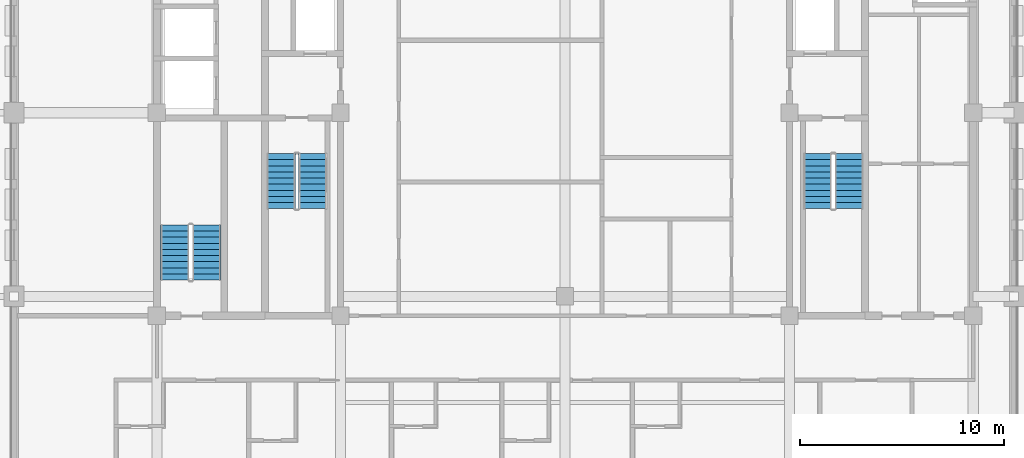
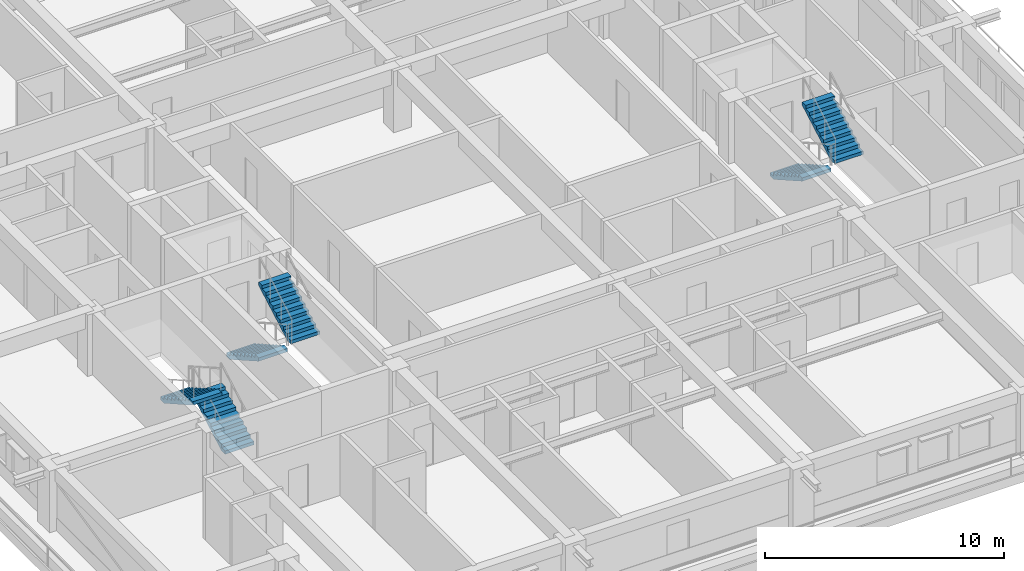
# One storey, part 8 of 15: 6 stair flights, 3 elements without a shape of their own.
"""IFC4 building model written with IfcOpenShell, lengths in metres."""

from ifc_helpers import new_model, si_unit, direction, frame, origin, place, context, subcontext, project, spatial, polyline, outline, extrude, material, layer, layer_set, type_object, element, aggregate, save


model = new_model("IFC4")

# Units and contexts
model_context = context("Model", 3, precision=1e-05, world=origin(), true_north=direction((0.0, 1.0)))
body_context = subcontext(model_context, "Body", "Model", "MODEL_VIEW")
ifc_project = project(units=[si_unit("LENGTHUNIT", "METRE"), si_unit("AREAUNIT", "SQUARE_METRE"), si_unit("VOLUMEUNIT", "CUBIC_METRE"), si_unit("PLANEANGLEUNIT", "RADIAN"), si_unit("MASSUNIT", "GRAM", prefix="KILO")], contexts=[model_context])

# Site, building, storey
site_placement = place(None, origin())
site = spatial("IfcSite", under=ifc_project, at=site_placement, CompositionType="ELEMENT")
building_placement = place(site_placement, origin())
building = spatial("IfcBuilding", under=site, at=building_placement, Name="Zulmaris Gate Convention Tower", CompositionType="ELEMENT")
storey_placement = place(building_placement, frame((0.0, 0.0, 201.659912109375)))
storey = spatial("IfcBuildingStorey", under=building, at=storey_placement, Name="L52", CompositionType="ELEMENT", Elevation=201.659912109375)

# Stair, stair flights
ifc_material = material(Name="Concrete C45/55", Category="concrete")
stair_type = type_object("IfcStairType", Name="ST-CORE-DOGLEG", PredefinedType="HALF_TURN_STAIR", material=ifc_material)
stair_1_placement = place(storey_placement, origin())
stair_1 = element("IfcStair", 1, at=stair_1_placement, inside=storey, type_object=stair_type, Name="L52 Core Exit Stair ST-1", PredefinedType="HALF_TURN_STAIR")
ifc_layer = layer(ifc_material, 0.14990234375, Name="Concrete C45/55")
ifc_layer_set = layer_set([ifc_layer], Name="Concrete C45/55")
stair_flight_type = type_object("IfcStairFlightType", Name="STF-RC150", PredefinedType="STRAIGHT", material=ifc_layer_set)
stair_flight_1_placement = place(storey_placement, frame((-13.919921875, -2.0, 0.0), z_axis=(0.0, 0.0, 1.0), x_axis=(0.0, -1.0, 0.0)))
stair_flight_1 = element("IfcStairFlight", 2, at=stair_flight_1_placement, type_object=stair_flight_type, Name="ST-1 flight 1", NumberOfRisers=10, NumberOfTreads=9, PredefinedType="STRAIGHT", RiserHeight=0.17001, TreadLength=0.3, context=body_context, shape_type="SweptSolid", body=[
    extrude(outline(polyline([(0.0, 0.0), (0.0, 0.169921875), (0.300048828125, 0.169921875), (0.300048828125, 0.340087890625), (0.60009765625, 0.340087890625), (0.60009765625, 0.510009765625), (0.89990234375, 0.510009765625), (0.89990234375, 0.679931640625), (1.199951171875, 0.679931640625), (1.199951171875, 0.85009765625), (1.5, 0.85009765625), (1.5, 1.02001953125), (1.800048828125, 1.02001953125), (1.800048828125, 1.190185546875), (2.10009765625, 1.190185546875), (2.10009765625, 1.360107421875), (2.39990234375, 1.360107421875), (2.39990234375, 1.530029296875), (2.699951171875, 1.530029296875), (2.699951171875, 1.7001953125), (2.699951171875, 1.35791015625), (0.303955078125, 0.0), (0.0, 0.0)])), frame((0.0, 0.699951171875, 0.0), z_axis=(0.0, -1.0, 0.0), x_axis=(1.0, 0.0, 0.0)), (0.0, 0.0, 1.0), 1.39990234375),
])
stair_flight_2_placement = place(storey_placement, frame((-12.360107421875, -4.699951171875, 1.7001953125), z_axis=(0.0, 0.0, 1.0), x_axis=(0.0, 1.0, 0.0)))
stair_flight_2 = element("IfcStairFlight", 3, at=stair_flight_2_placement, type_object=stair_flight_type, Name="ST-1 flight 2", NumberOfRisers=10, NumberOfTreads=9, PredefinedType="STRAIGHT", RiserHeight=0.17001, TreadLength=0.3, context=body_context, shape_type="SweptSolid", body=[
    extrude(outline(polyline([(0.0, 0.0), (0.0, 0.169921875), (0.300048828125, 0.169921875), (0.300048828125, 0.340087890625), (0.60009765625, 0.340087890625), (0.60009765625, 0.510009765625), (0.89990234375, 0.510009765625), (0.89990234375, 0.679931640625), (1.199951171875, 0.679931640625), (1.199951171875, 0.85009765625), (1.5, 0.85009765625), (1.5, 1.02001953125), (1.800048828125, 1.02001953125), (1.800048828125, 1.190185546875), (2.10009765625, 1.190185546875), (2.10009765625, 1.360107421875), (2.39990234375, 1.360107421875), (2.39990234375, 1.530029296875), (2.699951171875, 1.530029296875), (2.699951171875, 1.7001953125), (2.699951171875, 1.35791015625), (0.303955078125, 0.0), (0.0, 0.0)])), frame((0.0, 0.699951171875, 0.0), z_axis=(0.0, -1.0, 0.0), x_axis=(1.0, 0.0, 0.0)), (0.0, 0.0, 1.0), 1.39990234375),
])
aggregate(stair_1, [stair_flight_1, stair_flight_2])

stair_2_placement = place(storey_placement, origin())
stair_2 = element("IfcStair", 4, at=stair_2_placement, inside=storey, type_object=stair_type, Name="L52 Core Exit Stair ST-2", PredefinedType="HALF_TURN_STAIR")
stair_flight_3_placement = place(storey_placement, frame((12.360107421875, -2.0, 0.0), z_axis=(0.0, 0.0, 1.0), x_axis=(0.0, -1.0, 0.0)))
stair_flight_3 = element("IfcStairFlight", 5, at=stair_flight_3_placement, type_object=stair_flight_type, Name="ST-2 flight 1", NumberOfRisers=10, NumberOfTreads=9, PredefinedType="STRAIGHT", RiserHeight=0.17001, TreadLength=0.3, context=body_context, shape_type="SweptSolid", body=[
    extrude(outline(polyline([(0.0, 0.0), (0.0, 0.169921875), (0.300048828125, 0.169921875), (0.300048828125, 0.340087890625), (0.60009765625, 0.340087890625), (0.60009765625, 0.510009765625), (0.89990234375, 0.510009765625), (0.89990234375, 0.679931640625), (1.199951171875, 0.679931640625), (1.199951171875, 0.85009765625), (1.5, 0.85009765625), (1.5, 1.02001953125), (1.800048828125, 1.02001953125), (1.800048828125, 1.190185546875), (2.10009765625, 1.190185546875), (2.10009765625, 1.360107421875), (2.39990234375, 1.360107421875), (2.39990234375, 1.530029296875), (2.699951171875, 1.530029296875), (2.699951171875, 1.7001953125), (2.699951171875, 1.35791015625), (0.303955078125, 0.0), (0.0, 0.0)])), frame((0.0, 0.699951171875, 0.0), z_axis=(0.0, -1.0, 0.0), x_axis=(1.0, 0.0, 0.0)), (0.0, 0.0, 1.0), 1.39990234375),
])
stair_flight_4_placement = place(storey_placement, frame((13.919921875, -4.699951171875, 1.7001953125), z_axis=(0.0, 0.0, 1.0), x_axis=(0.0, 1.0, 0.0)))
stair_flight_4 = element("IfcStairFlight", 6, at=stair_flight_4_placement, type_object=stair_flight_type, Name="ST-2 flight 2", NumberOfRisers=10, NumberOfTreads=9, PredefinedType="STRAIGHT", RiserHeight=0.17001, TreadLength=0.3, context=body_context, shape_type="SweptSolid", body=[
    extrude(outline(polyline([(0.0, 0.0), (0.0, 0.169921875), (0.300048828125, 0.169921875), (0.300048828125, 0.340087890625), (0.60009765625, 0.340087890625), (0.60009765625, 0.510009765625), (0.89990234375, 0.510009765625), (0.89990234375, 0.679931640625), (1.199951171875, 0.679931640625), (1.199951171875, 0.85009765625), (1.5, 0.85009765625), (1.5, 1.02001953125), (1.800048828125, 1.02001953125), (1.800048828125, 1.190185546875), (2.10009765625, 1.190185546875), (2.10009765625, 1.360107421875), (2.39990234375, 1.360107421875), (2.39990234375, 1.530029296875), (2.699951171875, 1.530029296875), (2.699951171875, 1.7001953125), (2.699951171875, 1.35791015625), (0.303955078125, 0.0), (0.0, 0.0)])), frame((0.0, 0.699951171875, 0.0), z_axis=(0.0, -1.0, 0.0), x_axis=(1.0, 0.0, 0.0)), (0.0, 0.0, 1.0), 1.39990234375),
])
aggregate(stair_2, [stair_flight_3, stair_flight_4])

stair_3_placement = place(storey_placement, origin())
stair_3 = element("IfcStair", 7, at=stair_3_placement, inside=storey, type_object=stair_type, Name="L52 Core Exit Stair ST-3", PredefinedType="HALF_TURN_STAIR")
stair_flight_5_placement = place(storey_placement, frame((-17.56005859375, -8.199951171875, 0.0), z_axis=(0.0, 0.0, 1.0), x_axis=(0.0, 1.0, 0.0)))
stair_flight_5 = element("IfcStairFlight", 8, at=stair_flight_5_placement, type_object=stair_flight_type, Name="ST-3 flight 1", NumberOfRisers=10, NumberOfTreads=9, PredefinedType="STRAIGHT", RiserHeight=0.17001, TreadLength=0.3, context=body_context, shape_type="SweptSolid", body=[
    extrude(outline(polyline([(0.0, 0.0), (0.0, 0.169921875), (0.300048828125, 0.169921875), (0.300048828125, 0.340087890625), (0.60009765625, 0.340087890625), (0.60009765625, 0.510009765625), (0.89990234375, 0.510009765625), (0.89990234375, 0.679931640625), (1.199951171875, 0.679931640625), (1.199951171875, 0.85009765625), (1.5, 0.85009765625), (1.5, 1.02001953125), (1.800048828125, 1.02001953125), (1.800048828125, 1.190185546875), (2.10009765625, 1.190185546875), (2.10009765625, 1.360107421875), (2.39990234375, 1.360107421875), (2.39990234375, 1.530029296875), (2.699951171875, 1.530029296875), (2.699951171875, 1.7001953125), (2.699951171875, 1.35791015625), (0.303955078125, 0.0), (0.0, 0.0)])), frame((0.0, 0.699951171875, 0.0), z_axis=(0.0, -1.0, 0.0), x_axis=(1.0, 0.0, 0.0)), (0.0, 0.0, 1.0), 1.39990234375),
])
stair_flight_6_placement = place(storey_placement, frame((-19.1201171875, -5.5, 1.7001953125), z_axis=(0.0, 0.0, 1.0), x_axis=(0.0, -1.0, 0.0)))
stair_flight_6 = element("IfcStairFlight", 9, at=stair_flight_6_placement, type_object=stair_flight_type, Name="ST-3 flight 2", NumberOfRisers=10, NumberOfTreads=9, PredefinedType="STRAIGHT", RiserHeight=0.17001, TreadLength=0.3, context=body_context, shape_type="SweptSolid", body=[
    extrude(outline(polyline([(0.0, 0.0), (0.0, 0.169921875), (0.300048828125, 0.169921875), (0.300048828125, 0.340087890625), (0.60009765625, 0.340087890625), (0.60009765625, 0.510009765625), (0.89990234375, 0.510009765625), (0.89990234375, 0.679931640625), (1.199951171875, 0.679931640625), (1.199951171875, 0.85009765625), (1.5, 0.85009765625), (1.5, 1.02001953125), (1.800048828125, 1.02001953125), (1.800048828125, 1.190185546875), (2.10009765625, 1.190185546875), (2.10009765625, 1.360107421875), (2.39990234375, 1.360107421875), (2.39990234375, 1.530029296875), (2.699951171875, 1.530029296875), (2.699951171875, 1.7001953125), (2.699951171875, 1.35791015625), (0.303955078125, 0.0), (0.0, 0.0)])), frame((0.0, 0.699951171875, 0.0), z_axis=(0.0, -1.0, 0.0), x_axis=(1.0, 0.0, 0.0)), (0.0, 0.0, 1.0), 1.39990234375),
])
aggregate(stair_3, [stair_flight_5, stair_flight_6])

save(model, "model.ifc")
